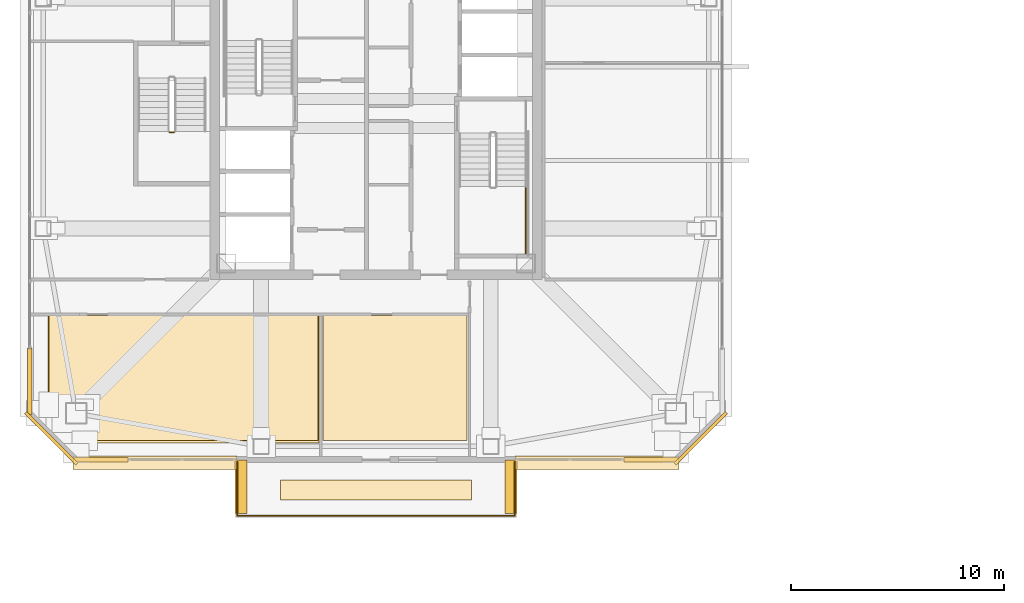
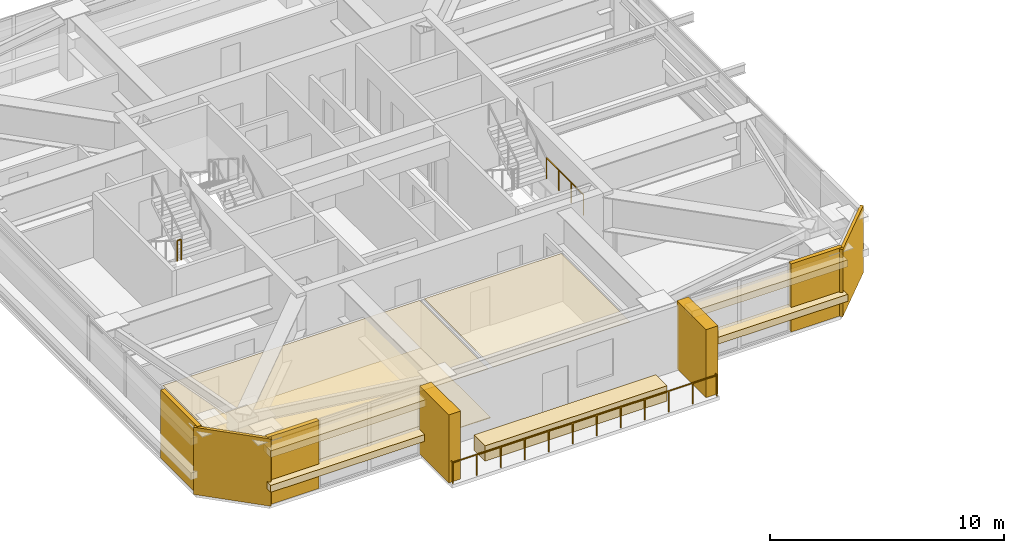
# One storey, part 35 of 40: 15 coverings, 5 railings.
"""IFC4 building model written with IfcOpenShell, lengths in metres."""

from ifc_helpers import new_model, si_unit, direction, frame, origin, origin_2d, place, context, subcontext, project, spatial, polyline, rectangle, outline, extrude, material, layer, layer_set, type_object, element, save


model = new_model("IFC4")

# Units and contexts
model_context = context("Model", 3, precision=1e-05, world=origin(), true_north=direction((0.0, 1.0)))
body_context = subcontext(model_context, "Body", "Model", "MODEL_VIEW")
ifc_project = project(units=[si_unit("LENGTHUNIT", "METRE"), si_unit("AREAUNIT", "SQUARE_METRE"), si_unit("VOLUMEUNIT", "CUBIC_METRE"), si_unit("PLANEANGLEUNIT", "RADIAN"), si_unit("MASSUNIT", "GRAM", prefix="KILO")], contexts=[model_context])

# Site, building, storey
site_placement = place(None, origin())
site = spatial("IfcSite", under=ifc_project, at=site_placement, CompositionType="ELEMENT")
building_placement = place(site_placement, origin())
building = spatial("IfcBuilding", under=site, at=building_placement, Name="Tashvorn Skyway Center", CompositionType="ELEMENT")
storey_placement = place(building_placement, frame((0.0, 0.0, 229.050048828125)))
storey = spatial("IfcBuildingStorey", under=building, at=storey_placement, Name="L62", CompositionType="ELEMENT", Elevation=229.050048828125)

# Coverings
ifc_material_1 = material(Name="Precast concrete C40/50", Category="concrete")
ifc_layer_1 = layer(ifc_material_1, 0.199951171875)
ifc_layer_set_1 = layer_set([ifc_layer_1], Name="Precast concrete C40/50")
covering_type_1 = type_object("IfcCoveringType", Name="COV-BRACE-CLAD", PredefinedType="CLADDING", material=ifc_layer_set_1)
for number, where, z_axis, x_axis, name in (
    (1, (54.916748046875, 15.719970703125, 0.0), (0.0, 0.0, 1.0), (-1.0, 0.0, 0.0), "Tower 1 L62 South Curtain Wall L Mega-Brace Cladding Band 1"),
    (2, (29.083251953125, 15.719970703125, 0.0), (0.0, 0.0, 1.0), (-1.0, 0.0, 0.0), "Tower 1 L62 South Curtain Wall R Mega-Brace Cladding Band 1"),
):
    element("IfcCovering", number, at=place(storey_placement, frame(where, z_axis=z_axis, x_axis=x_axis)), inside=storey, type_object=covering_type_1, Name=name, PredefinedType="CLADDING", context=body_context, shape_type="SweptSolid", body=[
        extrude(rectangle(XDim=2.526611328125, YDim=0.199951171875, at=origin_2d()), origin(), (0.0, 0.0, 1.0), 3.550048828125),
    ])
covering_1_placement = place(storey_placement, frame((25.719970703125, 19.3955078125, 0.0), z_axis=(0.0, 0.0, 1.0), x_axis=(0.0, 1.0, 0.0)))
element("IfcCovering", 3, at=covering_1_placement, inside=storey, type_object=covering_type_1, Name="Tower 1 L62 West Unitised Curtain Wall Mega-Brace Cladding Band 1", PredefinedType="CLADDING", context=body_context, shape_type="SweptSolid", body=[
    extrude(rectangle(XDim=3.151123046875, YDim=0.199951171875, at=origin_2d()), origin(), (0.0, 0.0, 1.0), 3.550048828125),
])
ifc_material_2 = material(Name="Mineral-fibre acoustic ceiling tile on suspended grid")
ifc_layer_2 = layer(ifc_material_2, 0.02001953125)
ifc_layer_set_2 = layer_set([ifc_layer_2], Name="Mineral-fibre acoustic ceiling tile on suspended grid")
covering_type_2 = type_object("IfcCoveringType", Name="COV-CEIL-20", PredefinedType="CEILING", material=ifc_layer_set_2)
covering_2_placement = place(storey_placement, frame((0.0, 0.0, 2.492919921875)))
element("IfcCovering", 4, at=covering_2_placement, inside=storey, type_object=covering_type_2, Name="Tower 1 L62 Executive Study Lounge Acoustic Ceiling", PredefinedType="CEILING", context=body_context, shape_type="SweptSolid", body=[
    extrude(outline(polyline([(26.6201171875, 22.510009765625), (39.280029296875, 22.510009765625), (39.280029296875, 16.6201171875), (28.679931640625, 16.6201171875), (26.6201171875, 18.679931640625), (26.6201171875, 22.510009765625)])), origin(), (0.0, 0.0, 1.0), 0.02001953125),
])
covering_3_placement = place(storey_placement, frame((0.0, 0.0, 2.492919921875)))
element("IfcCovering", 5, at=covering_3_placement, inside=storey, type_object=covering_type_2, Name="Tower 1 L62 Collaborative Studio Acoustic Ceiling", PredefinedType="CEILING", context=body_context, shape_type="SweptSolid", body=[
    extrude(outline(polyline([(39.52001953125, 22.510009765625), (46.280029296875, 22.510009765625), (46.280029296875, 16.6201171875), (39.52001953125, 16.6201171875), (39.52001953125, 22.510009765625)])), origin(), (0.0, 0.0, 1.0), 0.02001953125),
])
ifc_material_3 = material(Name="Polished Mojave desert-aggregate terrazzo and cover plate")
ifc_layer_3 = layer(ifc_material_3, 0.0400390625)
ifc_layer_set_3 = layer_set([ifc_layer_3], Name="Polished Mojave desert-aggregate terrazzo and cover plate")
covering_type_3 = type_object("IfcCoveringType", Name="COV-FLR-40", PredefinedType="FLOORING", material=ifc_layer_set_3)
covering_4_placement = place(storey_placement, origin())
element("IfcCovering", 6, at=covering_4_placement, inside=storey, type_object=covering_type_3, Name="Tower 1 L62 Executive Study Lounge Finish Flooring", PredefinedType="FLOORING", context=body_context, shape_type="SweptSolid", body=[
    extrude(outline(polyline([(28.800048828125, 16.5), (26.580078125, 18.719970703125), (26.580078125, 22.469970703125), (39.320068359375, 22.469970703125), (39.320068359375, 16.5), (28.800048828125, 16.5)])), origin(), (0.0, 0.0, 1.0), 0.0400390625),
])
ifc_material_4 = material(Name="Perforated ceramic-coated bronze aluminium solar screen", Category="aluminium")
ifc_layer_4 = layer(ifc_material_4, 0.85009765625)
ifc_layer_set_4 = layer_set([ifc_layer_4], Name="Perforated ceramic-coated bronze aluminium solar screen")
covering_type_4 = type_object("IfcCoveringType", Name="COV-SOLAR-BAND", PredefinedType="CLADDING", material=ifc_layer_set_4)
for number, where, z_axis, x_axis, name in (
    (7, (52.389892578125, 15.580078125, 0.919921875), (0.0, 0.0, 1.0), (-1.0, 0.0, 0.0), "L62 Perforated Ceramic-Metal Solar Screen Louvre Band South 1"),
    (8, (52.389892578125, 15.580078125, 2.7197265625), (0.0, 0.0, 1.0), (-1.0, 0.0, 0.0), "L62 Perforated Ceramic-Metal Solar Screen Louvre Band South 2"),
    (9, (31.610107421875, 15.580078125, 0.919921875), (0.0, 0.0, 1.0), (-1.0, 0.0, 0.0), "L62 Perforated Ceramic-Metal Solar Screen Louvre Band South 1"),
    (10, (31.610107421875, 15.580078125, 2.7197265625), (0.0, 0.0, 1.0), (-1.0, 0.0, 0.0), "L62 Perforated Ceramic-Metal Solar Screen Louvre Band South 2"),
):
    element("IfcCovering", number, at=place(storey_placement, frame(where, z_axis=z_axis, x_axis=x_axis)), inside=storey, type_object=covering_type_4, Name=name, PredefinedType="CLADDING", context=body_context, shape_type="SweptSolid", body=[
        extrude(rectangle(XDim=7.699951171875, YDim=0.639892578125, at=origin_2d()), origin(), (0.0, 0.0, 1.0), 0.360107421875),
    ])
ifc_layer_5 = layer(ifc_material_1, 0.35009765625)
ifc_layer_set_5 = layer_set([ifc_layer_5], Name="Precast concrete C40/50")
covering_type_5 = type_object("IfcCoveringType", Name="COV-STONE-TRIM", PredefinedType="CLADDING", material=ifc_layer_set_5)
for number, where, z_axis, x_axis, name in (
    (11, (48.35009765625, 14.449951171875, 0.0), (0.0, 0.0, 1.0), (-1.0, 0.0, 0.0), "Tower 1 L62 Sky Garden Loggia Pier L"),
    (12, (35.64990234375, 14.449951171875, 0.0), (0.0, 0.0, 1.0), (-1.0, 0.0, 0.0), "Tower 1 L62 Sky Garden Loggia Pier R"),
):
    element("IfcCovering", number, at=place(storey_placement, frame(where, z_axis=z_axis, x_axis=x_axis)), inside=storey, type_object=covering_type_5, Name=name, PredefinedType="CLADDING", context=body_context, shape_type="SweptSolid", body=[
        extrude(rectangle(XDim=0.580078125, YDim=2.5, at=origin_2d()), origin(), (0.0, 0.0, 1.0), 3.550048828125),
    ])
covering_5_placement = place(storey_placement, frame((42.0, 14.300048828125, 0.0), z_axis=(0.0, 0.0, 1.0), x_axis=(-1.0, 0.0, 0.0)))
element("IfcCovering", 13, at=covering_5_placement, inside=storey, type_object=covering_type_5, Name="Tower 1 L62 Sky Garden Stone Planter Bed", PredefinedType="CLADDING", context=body_context, shape_type="SweptSolid", body=[
    extrude(rectangle(XDim=8.97607421875, YDim=0.949951171875, at=origin_2d()), origin(), (0.0, 0.0, 1.0), 0.800048828125),
])
for number, where, z_axis, x_axis, name in (
    (14, (26.72998046875, 16.72998046875, 0.02001953125), (0.0, 0.0, 1.0), (-0.707106781187, 0.707106781187, 0.0), "Tower 1 L62 SW Mojave Limestone Corner Quoin"),
    (15, (57.27001953125, 16.72998046875, 0.02001953125), (0.0, 0.0, 1.0), (0.707106781187, 0.707106781187, 0.0), "Tower 1 L62 SE Mojave Limestone Corner Quoin"),
):
    element("IfcCovering", number, at=place(storey_placement, frame(where, z_axis=z_axis, x_axis=x_axis)), inside=storey, type_object=covering_type_5, Name=name, PredefinedType="CLADDING", context=body_context, shape_type="SweptSolid", body=[
        extrude(rectangle(XDim=3.41259765625, YDim=0.139892578125, at=origin_2d()), origin(), (0.0, 0.0, 1.0), 3.510009765625),
    ])

# Railings
ifc_material_5 = material(Name="Galvanized steel S355", Category="steel")
railing_type_1 = type_object("IfcRailingType", Name="RAIL-GUARD-1120", PredefinedType="GUARDRAIL", material=ifc_material_5)
railing_1_placement = place(storey_placement, frame((35.47998046875, 15.60009765625, 0.0)))
element("IfcRailing", 16, at=railing_1_placement, inside=storey, type_object=railing_type_1, Name="L62 Tower 1 Terrace Guardrail 01", PredefinedType="GUARDRAIL", context=body_context, shape_type="SweptSolid", body=[
    extrude(rectangle(XDim=0.048095703125, YDim=0.048095703125, at=origin_2d()), frame((0.0, 0.0, 1.09619140625), z_axis=(0.0, -1.0, 0.0), x_axis=(1.0, 0.0, 0.0)), (0.0, 0.0, 1.0), 2.52001953125),
    extrude(rectangle(XDim=0.0419921875, YDim=0.0419921875, at=origin_2d()), origin(), (0.0, 0.0, 1.0), 1.072021484375),
    extrude(rectangle(XDim=0.0419921875, YDim=0.0419921875, at=origin_2d()), frame((0.0, -0.840087890625, 0.0)), (0.0, 0.0, 1.0), 1.072021484375),
    extrude(rectangle(XDim=0.0419921875, YDim=0.0419921875, at=origin_2d()), frame((0.0, -1.679931640625, 0.0)), (0.0, 0.0, 1.0), 1.072021484375),
    extrude(rectangle(XDim=0.0419921875, YDim=0.0419921875, at=origin_2d()), frame((0.0, -2.52001953125, 0.0)), (0.0, 0.0, 1.0), 1.072021484375),
])
railing_2_placement = place(storey_placement, frame((35.47998046875, 13.080078125, 0.0)))
element("IfcRailing", 17, at=railing_2_placement, inside=storey, type_object=railing_type_1, Name="L62 Tower 1 Terrace Guardrail 02", PredefinedType="GUARDRAIL", context=body_context, shape_type="SweptSolid", body=[
    extrude(rectangle(XDim=0.048095703125, YDim=0.048095703125, at=origin_2d()), frame((0.0, 0.0, 1.09619140625), z_axis=(1.0, 0.0, 0.0), x_axis=(0.0, 1.0, 0.0)), (0.0, 0.0, 1.0), 13.0400390625),
    extrude(rectangle(XDim=0.0419921875, YDim=0.0419921875, at=origin_2d()), origin(), (0.0, 0.0, 1.0), 1.072021484375),
    extrude(rectangle(XDim=0.0419921875, YDim=0.0419921875, at=origin_2d()), frame((1.185546875, 0.0, 0.0)), (0.0, 0.0, 1.0), 1.072021484375),
    extrude(rectangle(XDim=0.0419921875, YDim=0.0419921875, at=origin_2d()), frame((2.370849609375, 0.0, 0.0)), (0.0, 0.0, 1.0), 1.072021484375),
    extrude(rectangle(XDim=0.0419921875, YDim=0.0419921875, at=origin_2d()), frame((3.556396484375, 0.0, 0.0)), (0.0, 0.0, 1.0), 1.072021484375),
    extrude(rectangle(XDim=0.0419921875, YDim=0.0419921875, at=origin_2d()), frame((4.741943359375, 0.0, 0.0)), (0.0, 0.0, 1.0), 1.072021484375),
    extrude(rectangle(XDim=0.0419921875, YDim=0.0419921875, at=origin_2d()), frame((5.92724609375, 0.0, 0.0)), (0.0, 0.0, 1.0), 1.072021484375),
    extrude(rectangle(XDim=0.0419921875, YDim=0.0419921875, at=origin_2d()), frame((7.11279296875, 0.0, 0.0)), (0.0, 0.0, 1.0), 1.072021484375),
    extrude(rectangle(XDim=0.0419921875, YDim=0.0419921875, at=origin_2d()), frame((8.298095703125, 0.0, 0.0)), (0.0, 0.0, 1.0), 1.072021484375),
    extrude(rectangle(XDim=0.0419921875, YDim=0.0419921875, at=origin_2d()), frame((9.483642578125, 0.0, 0.0)), (0.0, 0.0, 1.0), 1.072021484375),
    extrude(rectangle(XDim=0.0419921875, YDim=0.0419921875, at=origin_2d()), frame((10.669189453125, 0.0, 0.0)), (0.0, 0.0, 1.0), 1.072021484375),
    extrude(rectangle(XDim=0.0419921875, YDim=0.0419921875, at=origin_2d()), frame((11.8544921875, 0.0, 0.0)), (0.0, 0.0, 1.0), 1.072021484375),
    extrude(rectangle(XDim=0.0419921875, YDim=0.0419921875, at=origin_2d()), frame((13.0400390625, 0.0, 0.0)), (0.0, 0.0, 1.0), 1.072021484375),
])
railing_3_placement = place(storey_placement, frame((48.52001953125, 13.080078125, 0.0)))
element("IfcRailing", 18, at=railing_3_placement, inside=storey, type_object=railing_type_1, Name="L62 Tower 1 Terrace Guardrail 03", PredefinedType="GUARDRAIL", context=body_context, shape_type="SweptSolid", body=[
    extrude(rectangle(XDim=0.048095703125, YDim=0.048095703125, at=origin_2d()), frame((0.0, 0.0, 1.09619140625), z_axis=(0.0, 1.0, 0.0), x_axis=(-1.0, 0.0, 0.0)), (0.0, 0.0, 1.0), 2.52001953125),
    extrude(rectangle(XDim=0.0419921875, YDim=0.0419921875, at=origin_2d()), origin(), (0.0, 0.0, 1.0), 1.072021484375),
    extrude(rectangle(XDim=0.0419921875, YDim=0.0419921875, at=origin_2d()), frame((0.0, 0.840087890625, 0.0)), (0.0, 0.0, 1.0), 1.072021484375),
    extrude(rectangle(XDim=0.0419921875, YDim=0.0419921875, at=origin_2d()), frame((0.0, 1.679931640625, 0.0)), (0.0, 0.0, 1.0), 1.072021484375),
    extrude(rectangle(XDim=0.0419921875, YDim=0.0419921875, at=origin_2d()), frame((0.0, 2.52001953125, 0.0)), (0.0, 0.0, 1.0), 1.072021484375),
])
ifc_material_6 = material(Name="Painted galvanized steel S355", Category="steel")
railing_type_2 = type_object("IfcRailingType", Name="RAIL-STGUARD-1100", PredefinedType="GUARDRAIL", material=ifc_material_6)
railing_4_placement = place(storey_placement, frame((49.050048828125, 28.56005859375, 1.77490234375)))
element("IfcRailing", 19, at=railing_4_placement, inside=storey, type_object=railing_type_2, Name="L62 ST-T1-2 stair guard 3", PredefinedType="GUARDRAIL", context=body_context, shape_type="SweptSolid", body=[
    extrude(rectangle(XDim=0.048095703125, YDim=0.048095703125, at=origin_2d()), frame((0.0, 0.0, 1.076171875), z_axis=(0.0, -1.0, 0.0), x_axis=(1.0, 0.0, 0.0)), (0.0, 0.0, 1.0), 3.16015625),
    extrude(rectangle(XDim=0.0419921875, YDim=0.0419921875, at=origin_2d()), origin(), (0.0, 0.0, 1.0), 1.052001953125),
    extrude(rectangle(XDim=0.0419921875, YDim=0.0419921875, at=origin_2d()), frame((0.0, -1.053466796875, 0.0)), (0.0, 0.0, 1.0), 1.052001953125),
    extrude(rectangle(XDim=0.0419921875, YDim=0.0419921875, at=origin_2d()), frame((0.0, -2.106689453125, 0.0)), (0.0, 0.0, 1.0), 1.052001953125),
    extrude(rectangle(XDim=0.0419921875, YDim=0.0419921875, at=origin_2d()), frame((0.0, -3.16015625, 0.0)), (0.0, 0.0, 1.0), 1.052001953125),
])
railing_5_placement = place(storey_placement, frame((32.300048828125, 31.110107421875, 1.77490234375)))
element("IfcRailing", 20, at=railing_5_placement, inside=storey, type_object=railing_type_2, Name="L62 ST-T1-3 stair guard 2", PredefinedType="GUARDRAIL", context=body_context, shape_type="SweptSolid", body=[
    extrude(rectangle(XDim=0.048095703125, YDim=0.048095703125, at=origin_2d()), frame((0.0, 0.0, 1.076171875), z_axis=(1.0, 0.0, 0.0), x_axis=(0.0, 1.0, 0.0)), (0.0, 0.0, 1.0), 0.199951171875),
    extrude(rectangle(XDim=0.0419921875, YDim=0.0419921875, at=origin_2d()), origin(), (0.0, 0.0, 1.0), 1.052001953125),
    extrude(rectangle(XDim=0.0419921875, YDim=0.0419921875, at=origin_2d()), frame((0.199951171875, 0.0, 0.0)), (0.0, 0.0, 1.0), 1.052001953125),
])

save(model, "model.ifc")
